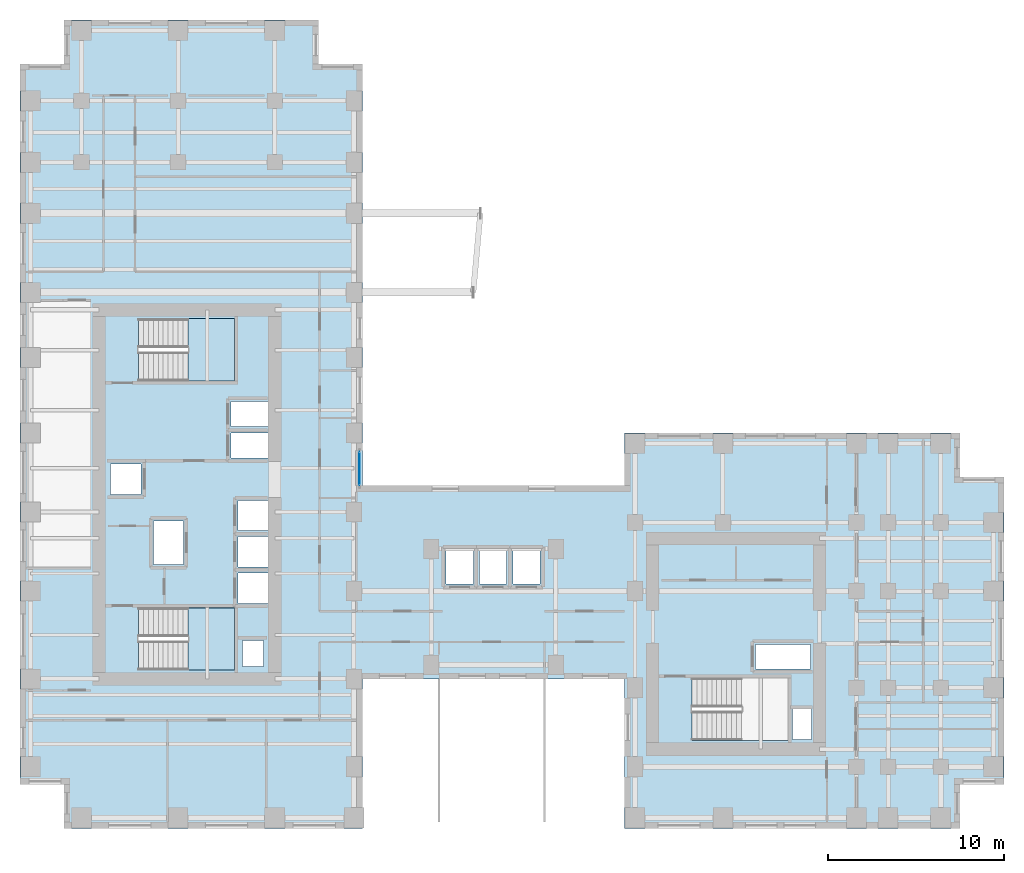
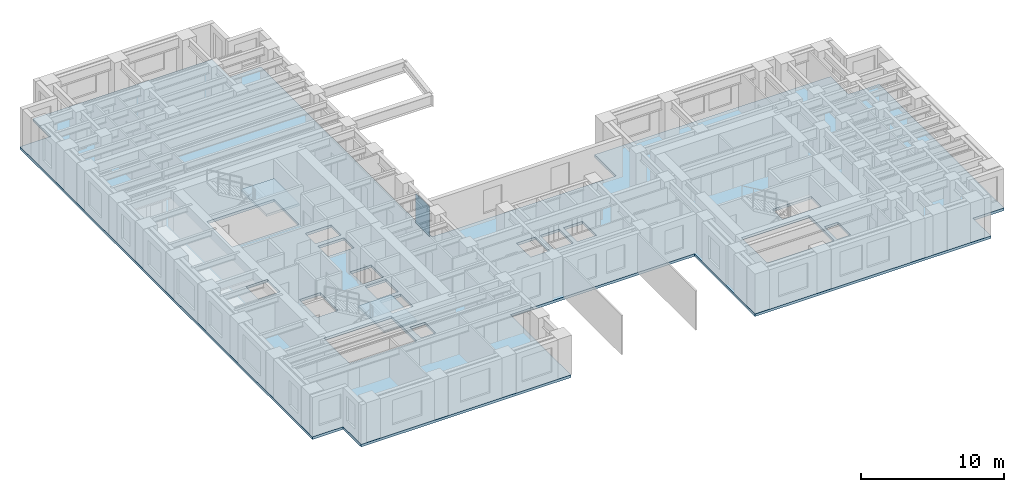
# One storey, part 4 of 13: 3 slabs, 1 plate, 3 elements without a shape of their own.
"""IFC4 building model written with IfcOpenShell, lengths in metres."""

import ifcopenshell
import ifcopenshell.guid

model = None  # the IFC model being written
_history = None  # IfcOwnerHistory: only IFC2X3 demands one
_inside = {}  # id of a spatial element -> (the spatial element, [elements in it])
_under = {}  # id of a project, library or spatial element -> (it, [spatial elements below it])
_declared = {}  # id of a project -> (the project, [libraries it declares])
_typed = {}  # id of a type object -> (the type object, [elements of that type])
_made_of = {}  # id of a material, layer set ... -> (it, [elements and type objects made of it])


def new_model(schema):
    """Start an empty IFC model of exactly this schema.

    Asked for "IFC4X3", IfcOpenShell would pick the latest addendum, in which some entities
    have other attributes; the version numbers below select the first issue.
    IFC2X3 requires an IfcOwnerHistory on every rooted entity: one is made here for all.
    """
    global model, _history
    if schema == "IFC4X3":
        model = ifcopenshell.file(schema_version=(4, 3, 0, 0))
    else:
        model = ifcopenshell.file(schema=schema)
    _inside.clear()
    _under.clear()
    _declared.clear()
    _typed.clear()
    _made_of.clear()
    _history = None
    if model.schema == "IFC2X3":
        org = make("IfcOrganization", Name="unknown")
        user = make(
            "IfcPersonAndOrganization",
            ThePerson=make("IfcPerson", FamilyName="unknown"),
            TheOrganization=org,
        )
        app = make(
            "IfcApplication",
            ApplicationDeveloper=org,
            Version="unknown",
            ApplicationFullName="unknown",
            ApplicationIdentifier="unknown",
        )
        _history = make(
            "IfcOwnerHistory",
            OwningUser=user,
            OwningApplication=app,
            ChangeAction="ADDED",
            CreationDate=0,
        )
    return model


def make(cls, **values):
    """One entity of the class cls with the attributes given. An attribute that is None is left unset."""
    return model.create_entity(
        cls, **{name: value for name, value in values.items() if value is not None}
    )


def rooted(cls, **values):
    """An entity with a GlobalId (a new one), such as an element, a storey or a relation."""
    return make(cls, GlobalId=ifcopenshell.guid.new(), OwnerHistory=_history, **values)


def si_unit(unit_type, name, prefix=None):
    """IfcSIUnit, for example si_unit("LENGTHUNIT", "METRE", prefix="MILLI")."""
    return make("IfcSIUnit", UnitType=unit_type, Prefix=prefix, Name=name)


def assignment(units):
    """IfcUnitAssignment: the units of a project."""
    return None if units is None else make("IfcUnitAssignment", Units=units)


def point(xyz):
    """IfcCartesianPoint."""
    return None if xyz is None else make("IfcCartesianPoint", Coordinates=xyz)


def direction(xyz):
    """IfcDirection."""
    return None if xyz is None else make("IfcDirection", DirectionRatios=xyz)


def frame(location, z_axis=None, x_axis=None):
    """IfcAxis2Placement3D, a coordinate frame: its origin and axes. An axis left out is left unset."""
    return make(
        "IfcAxis2Placement3D",
        Location=point(location),
        Axis=direction(z_axis),
        RefDirection=direction(x_axis),
    )


def frame_2d(location, x_axis=None):
    """IfcAxis2Placement2D, a coordinate frame in the plane: its origin and x axis."""
    return make(
        "IfcAxis2Placement2D", Location=point(location), RefDirection=direction(x_axis)
    )


def origin():
    """The frame at (0, 0, 0) with its axes left unset."""
    return frame((0.0, 0.0, 0.0))


def origin_2d():
    """The frame at (0, 0) in the plane with its x axis left unset."""
    return frame_2d((0.0, 0.0))


def place(relative_to, where):
    """IfcLocalPlacement: puts the frame where relative to a parent placement (None: the world)."""
    return make(
        "IfcLocalPlacement", PlacementRelTo=relative_to, RelativePlacement=where
    )


def context(
    kind, dimensions, precision=None, world=None, true_north=None, identifier=None
):
    """IfcGeometricRepresentationContext, for example the 3D "Model" context."""
    return make(
        "IfcGeometricRepresentationContext",
        ContextIdentifier=identifier,
        ContextType=kind,
        CoordinateSpaceDimension=dimensions,
        Precision=precision,
        WorldCoordinateSystem=world,
        TrueNorth=true_north,
    )


def subcontext(parent, identifier, kind, view, scale=None):
    """IfcGeometricRepresentationSubContext, for example "Body" below "Model"."""
    return make(
        "IfcGeometricRepresentationSubContext",
        ContextIdentifier=identifier,
        ContextType=kind,
        ParentContext=parent,
        TargetScale=scale,
        TargetView=view,
    )


def project(units=None, contexts=None):
    """IfcProject with its units and contexts."""
    return rooted(
        "IfcProject",
        Name="project",
        RepresentationContexts=contexts,
        UnitsInContext=assignment(units),
    )


def spatial(cls, under=None, at=None, **own):
    """A site, building, storey or space (cls), placed at a placement, below another one or the project."""
    s = rooted(cls, ObjectPlacement=at, **own)
    if under is not None:
        _under.setdefault(under.id(), (under, []))[1].append(s)
    return s


def polyline(points):
    """IfcPolyline through the points."""
    return make("IfcPolyline", Points=[point(p) for p in points])


def profile(cls, at=None, kind="AREA", **sizes):
    """A parametric profile (cls). Its sizes go by their IFC names, for example OverallWidth=200.0."""
    return make(cls, ProfileType=kind, Position=at, **sizes)


def rectangle(**sizes):
    """IfcRectangleProfileDef."""
    return profile("IfcRectangleProfileDef", **sizes)


def outline(outer, holes=None, kind="AREA"):
    """IfcArbitraryClosedProfileDef: a profile drawn as a closed curve; with holes, ...WithVoids."""
    if holes is None:
        return make("IfcArbitraryClosedProfileDef", ProfileType=kind, OuterCurve=outer)
    return make(
        "IfcArbitraryProfileDefWithVoids",
        ProfileType=kind,
        OuterCurve=outer,
        InnerCurves=holes,
    )


def extrude(swept, where, along, depth):
    """IfcExtrudedAreaSolid: the profile swept, set in the frame where, extruded along a direction by depth."""
    return make(
        "IfcExtrudedAreaSolid",
        SweptArea=swept,
        Position=where,
        ExtrudedDirection=direction(along),
        Depth=depth,
    )


def shape(context_of_items, identifier, shape_type, items):
    """IfcShapeRepresentation: the items that make up one representation, for example the "Body"."""
    return make(
        "IfcShapeRepresentation",
        ContextOfItems=context_of_items,
        RepresentationIdentifier=identifier,
        RepresentationType=shape_type,
        Items=items,
    )


def source(mapping_origin, context_of_items, identifier, shape_type, items):
    """IfcRepresentationMap: a shape defined once, which mapped items show again and again."""
    return make(
        "IfcRepresentationMap",
        MappingOrigin=mapping_origin,
        MappedRepresentation=shape(context_of_items, identifier, shape_type, items),
    )


def transform(
    local_origin,
    x_axis=None,
    y_axis=None,
    z_axis=None,
    scale=None,
    scale2=None,
    scale3=None,
    uniform=True,
):
    """IfcCartesianTransformationOperator3D, or its non-uniform kind. x_axis, y_axis, z_axis: its Axis1, 2, 3."""
    if uniform:
        return make(
            "IfcCartesianTransformationOperator3D",
            Axis1=direction(x_axis),
            Axis2=direction(y_axis),
            LocalOrigin=point(local_origin),
            Scale=scale,
            Axis3=direction(z_axis),
        )
    return make(
        "IfcCartesianTransformationOperator3DnonUniform",
        Axis1=direction(x_axis),
        Axis2=direction(y_axis),
        LocalOrigin=point(local_origin),
        Scale=scale,
        Axis3=direction(z_axis),
        Scale2=scale2,
        Scale3=scale3,
    )


def mapped(mapping_source, mapping_target):
    """IfcMappedItem: shows the shape of a source again, moved by a transform."""
    return make(
        "IfcMappedItem", MappingSource=mapping_source, MappingTarget=mapping_target
    )


def material(Name=None, Category=None):
    """IfcMaterial."""
    return make("IfcMaterial", Name=Name, Category=Category)


def layer(
    of_material, thickness, ventilated=None, Name=None, Category=None, Priority=None
):
    """IfcMaterialLayer: one layer of a wall or slab, of a material (None: an air gap)."""
    return make(
        "IfcMaterialLayer",
        Material=of_material,
        LayerThickness=thickness,
        IsVentilated=ventilated,
        Name=Name,
        Category=Category,
        Priority=Priority,
    )


def layer_set(layers, Name=None):
    """IfcMaterialLayerSet."""
    return make("IfcMaterialLayerSet", MaterialLayers=layers, LayerSetName=Name)


def made_of(thing, what):
    """Note that an element or type object is made of a material, layer set ...; save() writes the relation."""
    if what is not None:
        _made_of.setdefault(what.id(), (what, []))[1].append(thing)
    return thing


def type_object(cls, material=None, **own):
    """A type object (cls), such as IfcWallType, which elements share."""
    return made_of(rooted(cls, **own), material)


def element(
    cls,
    number,
    at=None,
    inside=None,
    cuts=None,
    type_object=None,
    material=None,
    context=None,
    identifier="Body",
    shape_type=None,
    held_by="IfcProductDefinitionShape",
    body=None,
    shapes=None,
    **own,
):
    """One element of the class cls, such as IfcWall. Its Tag is "e" and its number.

    at: its placement. inside: the storey or other place that contains it. cuts: it is an
    opening in that element (IfcRelVoidsElement). A single representation is given by context,
    identifier, shape_type and body (its items); several are given by shapes. held_by: the class
    of the entity that holds the representations. save() writes the other relations.
    """
    e = rooted(cls, Tag="e%d" % number, ObjectPlacement=at, **own)
    if body is not None:
        shapes = [shape(context, identifier, shape_type, body)]
    if shapes is not None:
        e.Representation = make(held_by, Representations=shapes)
    if inside is not None:
        _inside.setdefault(inside.id(), (inside, []))[1].append(e)
    if cuts is not None:
        rooted(
            "IfcRelVoidsElement", RelatingBuildingElement=cuts, RelatedOpeningElement=e
        )
    if type_object is not None:
        _typed.setdefault(type_object.id(), (type_object, []))[1].append(e)
    return made_of(e, material)


def aggregate(whole, parts):
    """IfcRelAggregates: a whole, such as a stair, and the parts it consists of."""
    return rooted("IfcRelAggregates", RelatingObject=whole, RelatedObjects=parts)


def save(model, path):
    """Write the relations noted so far, then the file.

    IfcRelAggregates (storeys below a building ...), IfcRelContainedInSpatialStructure (elements
    in a storey), IfcRelDefinesByType, IfcRelAssociatesMaterial and IfcRelDeclares: one each for
    every whole, place, type object, material and project.
    """
    for whole, parts in _under.values():
        aggregate(whole, parts)
    for where, things in _inside.values():
        rooted(
            "IfcRelContainedInSpatialStructure",
            RelatedElements=things,
            RelatingStructure=where,
        )
    for kind, things in _typed.values():
        rooted("IfcRelDefinesByType", RelatedObjects=things, RelatingType=kind)
    for what, things in _made_of.values():
        rooted("IfcRelAssociatesMaterial", RelatedObjects=things, RelatingMaterial=what)
    for by, libraries in _declared.values():
        rooted("IfcRelDeclares", RelatingContext=by, RelatedDefinitions=libraries)
    model.write(path)


model = new_model("IFC4")

# Units and contexts
model_context = context("Model", 3, precision=1e-05, world=origin(), true_north=direction((0.0, 1.0)))
body_context = subcontext(model_context, "Body", "Model", "MODEL_VIEW")
ifc_project = project(units=[si_unit("LENGTHUNIT", "METRE"), si_unit("AREAUNIT", "SQUARE_METRE"), si_unit("VOLUMEUNIT", "CUBIC_METRE"), si_unit("PLANEANGLEUNIT", "RADIAN"), si_unit("MASSUNIT", "GRAM", prefix="KILO")], contexts=[model_context])

# Site, building, storey
site_placement = place(None, origin())
site = spatial("IfcSite", under=ifc_project, at=site_placement, CompositionType="ELEMENT")
building_placement = place(site_placement, origin())
building = spatial("IfcBuilding", under=site, at=building_placement, Name="Kharzan Plaza Tower", CompositionType="ELEMENT")
storey_placement = place(building_placement, frame((0.0, 0.0, 95.39990234375)))
storey = spatial("IfcBuildingStorey", under=building, at=storey_placement, Name="L25", CompositionType="ELEMENT", Elevation=95.39990234375)

# Slab
ifc_material_1 = material(Name="Concrete C40/50", Category="concrete")
ifc_layer_1 = layer(ifc_material_1, 0.219970703125)
ifc_layer_set_1 = layer_set([ifc_layer_1], Name="Concrete C40/50")
slab_type_1 = type_object("IfcSlabType", Name="SL-FLOOR-220", PredefinedType="FLOOR", material=ifc_layer_set_1)
slab_1_placement = place(storey_placement, frame((0.0, 0.0, -0.219970703125)))
element("IfcSlab", 1, at=slab_1_placement, inside=storey, type_object=slab_type_1, Name="L25 Composite Structural Floor Slab 220 mm", PredefinedType="FLOOR", context=body_context, shape_type="SweptSolid", body=[
    extrude(outline(polyline([(34.39990234375, 19.5), (19.5, 19.5), (19.5, 43.5), (17.0, 43.5), (17.0, 46.0), (2.5, 46.0), (2.5, 43.5), (0.0, 43.5), (0.0, 2.5), (2.5, 2.5), (2.5, 0.0), (19.5, 0.0), (19.5, 8.5), (34.39990234375, 8.5), (34.39990234375, 0.0), (53.5, 0.0), (53.5, 2.5), (56.0, 2.5), (56.0, 20.0), (53.5, 20.0), (53.5, 22.5), (34.39990234375, 22.5), (34.39990234375, 19.5)]), holes=[polyline([(12.199951171875, 9.0), (12.199951171875, 12.550048828125), (6.75, 12.550048828125), (6.75, 9.0), (12.199951171875, 9.0)]), polyline([(14.10009765625, 12.800048828125), (14.10009765625, 14.530029296875), (12.39990234375, 14.530029296875), (12.39990234375, 12.800048828125), (14.10009765625, 12.800048828125)]), polyline([(14.10009765625, 14.8701171875), (14.10009765625, 16.60009765625), (12.39990234375, 16.60009765625), (12.39990234375, 14.8701171875), (14.10009765625, 14.8701171875)]), polyline([(9.300048828125, 15.0), (9.300048828125, 17.5), (7.60009765625, 17.5), (7.60009765625, 15.0), (9.300048828125, 15.0)]), polyline([(6.89990234375, 19.010009765625), (6.89990234375, 20.72998046875), (5.14990234375, 20.72998046875), (5.14990234375, 19.010009765625), (6.89990234375, 19.010009765625)]), polyline([(14.10009765625, 21.070068359375), (14.10009765625, 22.489990234375), (12.0, 22.489990234375), (12.0, 21.070068359375), (14.10009765625, 21.070068359375)]), polyline([(14.10009765625, 22.8701171875), (14.10009765625, 24.2900390625), (12.0, 24.2900390625), (12.0, 22.8701171875), (14.10009765625, 22.8701171875)]), polyline([(12.199951171875, 25.449951171875), (12.199951171875, 29.0), (6.75, 29.0), (6.75, 25.449951171875), (12.199951171875, 25.449951171875)]), polyline([(45.050048828125, 5.050048828125), (45.050048828125, 6.800048828125), (43.949951171875, 6.800048828125), (43.949951171875, 5.050048828125), (45.050048828125, 5.050048828125)]), polyline([(43.699951171875, 5.0), (43.699951171875, 8.550048828125), (38.25, 8.550048828125), (38.25, 5.0), (43.699951171875, 5.0)]), polyline([(45.0, 9.070068359375), (45.0, 10.469970703125), (41.85009765625, 10.469970703125), (41.85009765625, 9.070068359375), (45.0, 9.070068359375)]), polyline([(13.85009765625, 9.199951171875), (13.85009765625, 10.699951171875), (12.64990234375, 10.699951171875), (12.64990234375, 9.199951171875), (13.85009765625, 9.199951171875)]), polyline([(25.800048828125, 13.89990234375), (25.800048828125, 15.85009765625), (24.25, 15.85009765625), (24.25, 13.89990234375), (25.800048828125, 13.89990234375)]), polyline([(27.699951171875, 13.89990234375), (27.699951171875, 15.85009765625), (26.14990234375, 15.85009765625), (26.14990234375, 13.89990234375), (27.699951171875, 13.89990234375)]), polyline([(29.60009765625, 13.89990234375), (29.60009765625, 15.85009765625), (28.050048828125, 15.85009765625), (28.050048828125, 13.89990234375), (29.60009765625, 13.89990234375)]), polyline([(14.10009765625, 16.93994140625), (14.10009765625, 18.64990234375), (12.39990234375, 18.64990234375), (12.39990234375, 16.93994140625), (14.10009765625, 16.93994140625)])]), origin(), (0.0, 0.0, 1.0), 0.219970703125),
])

# Stair, slab
stair_type_1 = type_object("IfcStairType", Name="STR-ST-1", PredefinedType="HALF_TURN_STAIR", material=ifc_material_1)
stair_1_placement = place(storey_placement, origin())
stair_1 = element("IfcStair", 2, at=stair_1_placement, inside=storey, type_object=stair_type_1, Name="L25 Protected Exit Stair ST-1", PredefinedType="HALF_TURN_STAIR")
ifc_layer_2 = layer(ifc_material_1, 0.219970703125)
ifc_layer_set_2 = layer_set([ifc_layer_2], Name="Concrete C40/50")
slab_type_2 = type_object("IfcSlabType", Name="SL-LANDING-220", PredefinedType="LANDING", material=ifc_layer_set_2)
slab_2_placement = place(storey_placement, frame((0.0, 0.0, 1.60009765625)))
slab_2 = element("IfcSlab", 3, at=slab_2_placement, type_object=slab_type_2, Name="ST-1 landing 1", PredefinedType="LANDING", context=body_context, shape_type="SweptSolid", body=[
    extrude(outline(polyline([(9.550048828125, 9.0), (12.199951171875, 9.0), (12.199951171875, 12.550048828125), (9.550048828125, 12.550048828125), (9.550048828125, 9.0)])), origin(), (0.0, 0.0, 1.0), 0.199951171875),
])
aggregate(stair_1, [slab_2])

stair_type_2 = type_object("IfcStairType", Name="STR-ST-2", PredefinedType="HALF_TURN_STAIR", material=ifc_material_1)
stair_2_placement = place(storey_placement, origin())
stair_2 = element("IfcStair", 4, at=stair_2_placement, inside=storey, type_object=stair_type_2, Name="L25 Protected Exit Stair ST-2", PredefinedType="HALF_TURN_STAIR")
slab_3_placement = place(storey_placement, frame((0.0, 0.0, 1.60009765625)))
slab_3 = element("IfcSlab", 5, at=slab_3_placement, type_object=slab_type_2, Name="ST-2 landing 1", PredefinedType="LANDING", context=body_context, shape_type="SweptSolid", body=[
    extrude(outline(polyline([(9.550048828125, 25.449951171875), (12.199951171875, 25.449951171875), (12.199951171875, 29.0), (9.550048828125, 29.0), (9.550048828125, 25.449951171875)])), origin(), (0.0, 0.0, 1.0), 0.199951171875),
])
aggregate(stair_2, [slab_3])

# Curtain wall, plate
ifc_material_2 = material(Name="Unitised Bronze-Anodized Aluminium and Low-E Glass", Category="aluminium")
ifc_layer_3 = layer(ifc_material_2, 0.199951171875)
ifc_layer_set_3 = layer_set([ifc_layer_3], Name="Unitised Bronze-Anodized Aluminium and Low-E Glass")
curtain_wall_type = type_object("IfcCurtainWallType", Name="CW-SLOT-3", PredefinedType="NOTDEFINED", material=ifc_layer_set_3)
curtain_wall_placement = place(storey_placement, origin())
curtain_wall = element("IfcCurtainWall", 6, at=curtain_wall_placement, inside=storey, type_object=curtain_wall_type, Name="L25 West Slot Recessed Spine Curtain Wall", PredefinedType="NOTDEFINED")
ifc_material_3 = material(Name="Dark Solar-Control Double Glazing", Category="glass")
ifc_layer_4 = layer(ifc_material_3, 0.031982421875)
ifc_layer_set_4 = layer_set([ifc_layer_4], Name="Dark Solar-Control Double Glazing")
plate_type = type_object("IfcPlateType", Name="PLT-CW-GLASS", PredefinedType="CURTAIN_PANEL", material=ifc_layer_set_4)
shared_shape = source(origin(), body_context, "Body", "SweptSolid", [
    extrude(rectangle(XDim=1.929931640625, YDim=0.031982421875, at=origin_2d()), origin(), (0.0, 0.0, 1.0), 2.5400390625),
])
plate_placement = place(storey_placement, frame((19.320068359375, 20.47509765625, 0.080078125), z_axis=(0.0, 0.0, 1.0), x_axis=(0.0, 1.0, 0.0)))
plate = element("IfcPlate", 7, at=plate_placement, type_object=plate_type, Name="L25 Curtain-Wall Glazed Panel 00", PredefinedType="CURTAIN_PANEL", context=body_context, shape_type="MappedRepresentation", body=[
    mapped(shared_shape, transform((0.0, 0.0, 0.0), x_axis=(1.0, 0.0, 0.0), y_axis=(0.0, 1.0, 0.0), z_axis=(0.0, 0.0, 1.0))),
])
aggregate(curtain_wall, [plate])

save(model, "model.ifc")
